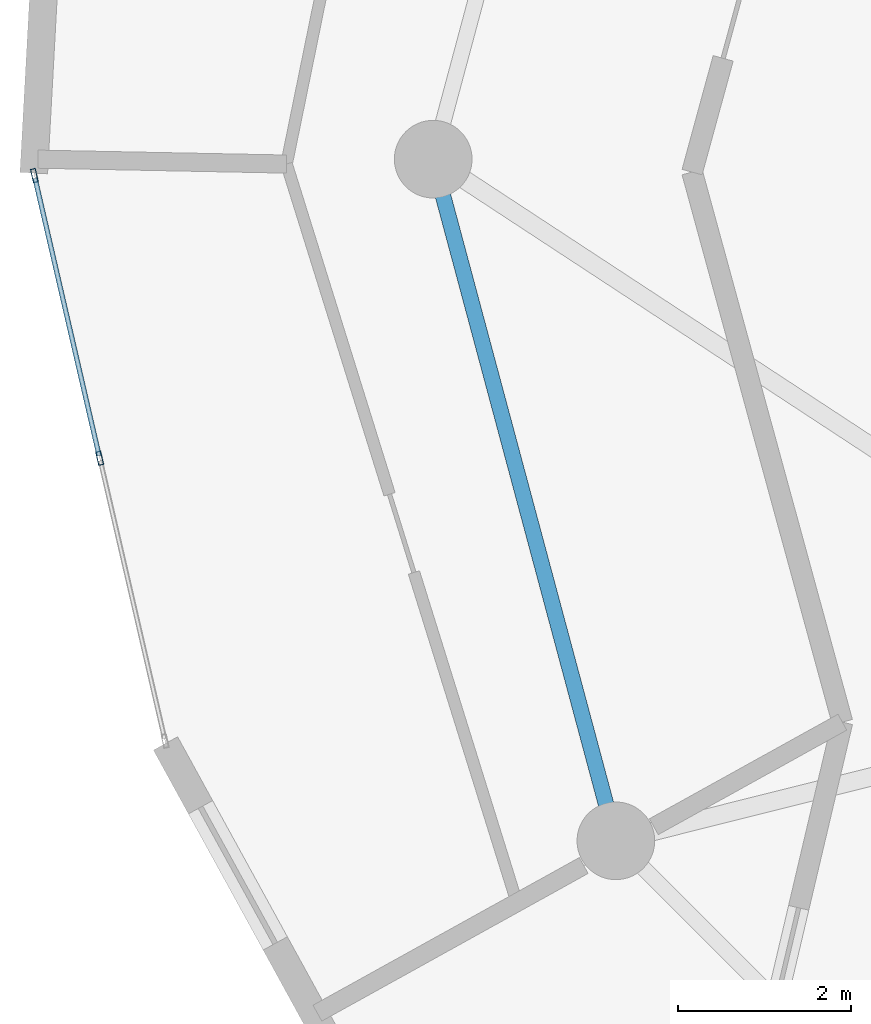
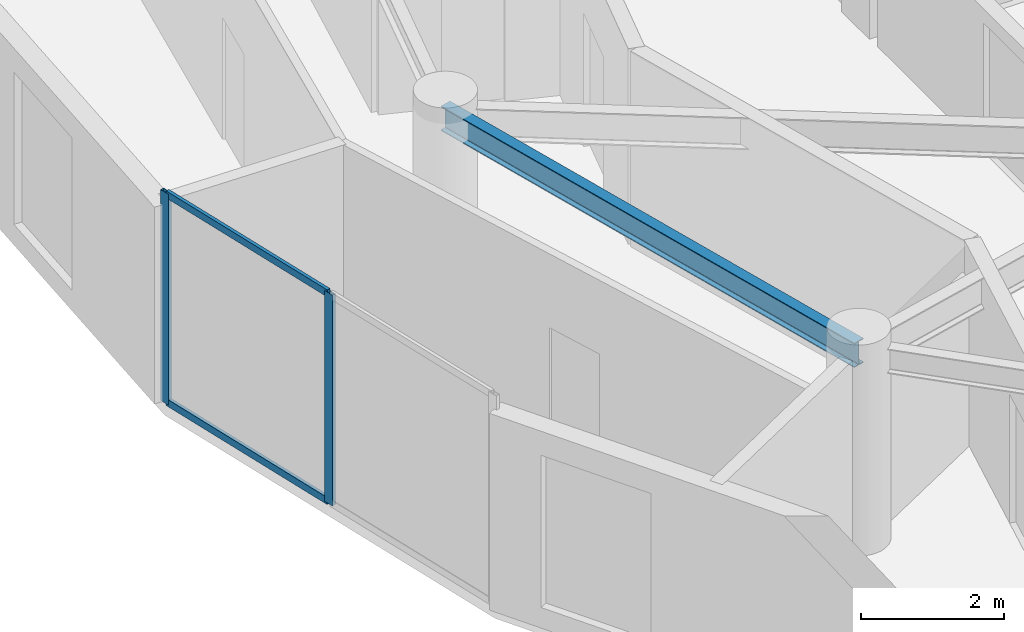
# One storey, part 7 of 21: 4 members, 1 beam, 1 element without a shape of its own.
"""IFC4 building model written with IfcOpenShell, lengths in metres."""

import ifcopenshell
import ifcopenshell.guid

model = None  # the IFC model being written
_history = None  # IfcOwnerHistory: only IFC2X3 demands one
_inside = {}  # id of a spatial element -> (the spatial element, [elements in it])
_under = {}  # id of a project, library or spatial element -> (it, [spatial elements below it])
_declared = {}  # id of a project -> (the project, [libraries it declares])
_typed = {}  # id of a type object -> (the type object, [elements of that type])
_made_of = {}  # id of a material, layer set ... -> (it, [elements and type objects made of it])


def new_model(schema):
    """Start an empty IFC model of exactly this schema.

    Asked for "IFC4X3", IfcOpenShell would pick the latest addendum, in which some entities
    have other attributes; the version numbers below select the first issue.
    IFC2X3 requires an IfcOwnerHistory on every rooted entity: one is made here for all.
    """
    global model, _history
    if schema == "IFC4X3":
        model = ifcopenshell.file(schema_version=(4, 3, 0, 0))
    else:
        model = ifcopenshell.file(schema=schema)
    _inside.clear()
    _under.clear()
    _declared.clear()
    _typed.clear()
    _made_of.clear()
    _history = None
    if model.schema == "IFC2X3":
        org = make("IfcOrganization", Name="unknown")
        user = make(
            "IfcPersonAndOrganization",
            ThePerson=make("IfcPerson", FamilyName="unknown"),
            TheOrganization=org,
        )
        app = make(
            "IfcApplication",
            ApplicationDeveloper=org,
            Version="unknown",
            ApplicationFullName="unknown",
            ApplicationIdentifier="unknown",
        )
        _history = make(
            "IfcOwnerHistory",
            OwningUser=user,
            OwningApplication=app,
            ChangeAction="ADDED",
            CreationDate=0,
        )
    return model


def make(cls, **values):
    """One entity of the class cls with the attributes given. An attribute that is None is left unset."""
    return model.create_entity(
        cls, **{name: value for name, value in values.items() if value is not None}
    )


def rooted(cls, **values):
    """An entity with a GlobalId (a new one), such as an element, a storey or a relation."""
    return make(cls, GlobalId=ifcopenshell.guid.new(), OwnerHistory=_history, **values)


def si_unit(unit_type, name, prefix=None):
    """IfcSIUnit, for example si_unit("LENGTHUNIT", "METRE", prefix="MILLI")."""
    return make("IfcSIUnit", UnitType=unit_type, Prefix=prefix, Name=name)


def assignment(units):
    """IfcUnitAssignment: the units of a project."""
    return None if units is None else make("IfcUnitAssignment", Units=units)


def point(xyz):
    """IfcCartesianPoint."""
    return None if xyz is None else make("IfcCartesianPoint", Coordinates=xyz)


def direction(xyz):
    """IfcDirection."""
    return None if xyz is None else make("IfcDirection", DirectionRatios=xyz)


def frame(location, z_axis=None, x_axis=None):
    """IfcAxis2Placement3D, a coordinate frame: its origin and axes. An axis left out is left unset."""
    return make(
        "IfcAxis2Placement3D",
        Location=point(location),
        Axis=direction(z_axis),
        RefDirection=direction(x_axis),
    )


def frame_2d(location, x_axis=None):
    """IfcAxis2Placement2D, a coordinate frame in the plane: its origin and x axis."""
    return make(
        "IfcAxis2Placement2D", Location=point(location), RefDirection=direction(x_axis)
    )


def origin():
    """The frame at (0, 0, 0) with its axes left unset."""
    return frame((0.0, 0.0, 0.0))


def origin_2d():
    """The frame at (0, 0) in the plane with its x axis left unset."""
    return frame_2d((0.0, 0.0))


def place(relative_to, where):
    """IfcLocalPlacement: puts the frame where relative to a parent placement (None: the world)."""
    return make(
        "IfcLocalPlacement", PlacementRelTo=relative_to, RelativePlacement=where
    )


def context(
    kind, dimensions, precision=None, world=None, true_north=None, identifier=None
):
    """IfcGeometricRepresentationContext, for example the 3D "Model" context."""
    return make(
        "IfcGeometricRepresentationContext",
        ContextIdentifier=identifier,
        ContextType=kind,
        CoordinateSpaceDimension=dimensions,
        Precision=precision,
        WorldCoordinateSystem=world,
        TrueNorth=true_north,
    )


def subcontext(parent, identifier, kind, view, scale=None):
    """IfcGeometricRepresentationSubContext, for example "Body" below "Model"."""
    return make(
        "IfcGeometricRepresentationSubContext",
        ContextIdentifier=identifier,
        ContextType=kind,
        ParentContext=parent,
        TargetScale=scale,
        TargetView=view,
    )


def project(units=None, contexts=None):
    """IfcProject with its units and contexts."""
    return rooted(
        "IfcProject",
        Name="project",
        RepresentationContexts=contexts,
        UnitsInContext=assignment(units),
    )


def spatial(cls, under=None, at=None, **own):
    """A site, building, storey or space (cls), placed at a placement, below another one or the project."""
    s = rooted(cls, ObjectPlacement=at, **own)
    if under is not None:
        _under.setdefault(under.id(), (under, []))[1].append(s)
    return s


def profile(cls, at=None, kind="AREA", **sizes):
    """A parametric profile (cls). Its sizes go by their IFC names, for example OverallWidth=200.0."""
    return make(cls, ProfileType=kind, Position=at, **sizes)


def hollow_rectangle(**sizes):
    """IfcRectangleHollowProfileDef."""
    return profile("IfcRectangleHollowProfileDef", **sizes)


def i_section(**sizes):
    """IfcIShapeProfileDef."""
    return profile("IfcIShapeProfileDef", **sizes)


def extrude(swept, where, along, depth):
    """IfcExtrudedAreaSolid: the profile swept, set in the frame where, extruded along a direction by depth."""
    return make(
        "IfcExtrudedAreaSolid",
        SweptArea=swept,
        Position=where,
        ExtrudedDirection=direction(along),
        Depth=depth,
    )


def shape(context_of_items, identifier, shape_type, items):
    """IfcShapeRepresentation: the items that make up one representation, for example the "Body"."""
    return make(
        "IfcShapeRepresentation",
        ContextOfItems=context_of_items,
        RepresentationIdentifier=identifier,
        RepresentationType=shape_type,
        Items=items,
    )


def source(mapping_origin, context_of_items, identifier, shape_type, items):
    """IfcRepresentationMap: a shape defined once, which mapped items show again and again."""
    return make(
        "IfcRepresentationMap",
        MappingOrigin=mapping_origin,
        MappedRepresentation=shape(context_of_items, identifier, shape_type, items),
    )


def transform(
    local_origin,
    x_axis=None,
    y_axis=None,
    z_axis=None,
    scale=None,
    scale2=None,
    scale3=None,
    uniform=True,
):
    """IfcCartesianTransformationOperator3D, or its non-uniform kind. x_axis, y_axis, z_axis: its Axis1, 2, 3."""
    if uniform:
        return make(
            "IfcCartesianTransformationOperator3D",
            Axis1=direction(x_axis),
            Axis2=direction(y_axis),
            LocalOrigin=point(local_origin),
            Scale=scale,
            Axis3=direction(z_axis),
        )
    return make(
        "IfcCartesianTransformationOperator3DnonUniform",
        Axis1=direction(x_axis),
        Axis2=direction(y_axis),
        LocalOrigin=point(local_origin),
        Scale=scale,
        Axis3=direction(z_axis),
        Scale2=scale2,
        Scale3=scale3,
    )


def mapped(mapping_source, mapping_target):
    """IfcMappedItem: shows the shape of a source again, moved by a transform."""
    return make(
        "IfcMappedItem", MappingSource=mapping_source, MappingTarget=mapping_target
    )


def material(Name=None, Category=None):
    """IfcMaterial."""
    return make("IfcMaterial", Name=Name, Category=Category)


def layer(
    of_material, thickness, ventilated=None, Name=None, Category=None, Priority=None
):
    """IfcMaterialLayer: one layer of a wall or slab, of a material (None: an air gap)."""
    return make(
        "IfcMaterialLayer",
        Material=of_material,
        LayerThickness=thickness,
        IsVentilated=ventilated,
        Name=Name,
        Category=Category,
        Priority=Priority,
    )


def layer_set(layers, Name=None):
    """IfcMaterialLayerSet."""
    return make("IfcMaterialLayerSet", MaterialLayers=layers, LayerSetName=Name)


def material_profile(
    of_material, cross_section, Name=None, Category=None, Priority=None
):
    """IfcMaterialProfile: a cross section and its material."""
    return make(
        "IfcMaterialProfile",
        Name=Name,
        Material=of_material,
        Profile=cross_section,
        Priority=Priority,
        Category=Category,
    )


def profile_set(profiles, Name=None, composite=None):
    """IfcMaterialProfileSet."""
    return make(
        "IfcMaterialProfileSet",
        Name=Name,
        MaterialProfiles=profiles,
        CompositeProfile=composite,
    )


def made_of(thing, what):
    """Note that an element or type object is made of a material, layer set ...; save() writes the relation."""
    if what is not None:
        _made_of.setdefault(what.id(), (what, []))[1].append(thing)
    return thing


def type_object(cls, material=None, **own):
    """A type object (cls), such as IfcWallType, which elements share."""
    return made_of(rooted(cls, **own), material)


def element(
    cls,
    number,
    at=None,
    inside=None,
    cuts=None,
    type_object=None,
    material=None,
    context=None,
    identifier="Body",
    shape_type=None,
    held_by="IfcProductDefinitionShape",
    body=None,
    shapes=None,
    **own,
):
    """One element of the class cls, such as IfcWall. Its Tag is "e" and its number.

    at: its placement. inside: the storey or other place that contains it. cuts: it is an
    opening in that element (IfcRelVoidsElement). A single representation is given by context,
    identifier, shape_type and body (its items); several are given by shapes. held_by: the class
    of the entity that holds the representations. save() writes the other relations.
    """
    e = rooted(cls, Tag="e%d" % number, ObjectPlacement=at, **own)
    if body is not None:
        shapes = [shape(context, identifier, shape_type, body)]
    if shapes is not None:
        e.Representation = make(held_by, Representations=shapes)
    if inside is not None:
        _inside.setdefault(inside.id(), (inside, []))[1].append(e)
    if cuts is not None:
        rooted(
            "IfcRelVoidsElement", RelatingBuildingElement=cuts, RelatedOpeningElement=e
        )
    if type_object is not None:
        _typed.setdefault(type_object.id(), (type_object, []))[1].append(e)
    return made_of(e, material)


def aggregate(whole, parts):
    """IfcRelAggregates: a whole, such as a stair, and the parts it consists of."""
    return rooted("IfcRelAggregates", RelatingObject=whole, RelatedObjects=parts)


def save(model, path):
    """Write the relations noted so far, then the file.

    IfcRelAggregates (storeys below a building ...), IfcRelContainedInSpatialStructure (elements
    in a storey), IfcRelDefinesByType, IfcRelAssociatesMaterial and IfcRelDeclares: one each for
    every whole, place, type object, material and project.
    """
    for whole, parts in _under.values():
        aggregate(whole, parts)
    for where, things in _inside.values():
        rooted(
            "IfcRelContainedInSpatialStructure",
            RelatedElements=things,
            RelatingStructure=where,
        )
    for kind, things in _typed.values():
        rooted("IfcRelDefinesByType", RelatedObjects=things, RelatingType=kind)
    for what, things in _made_of.values():
        rooted("IfcRelAssociatesMaterial", RelatedObjects=things, RelatingMaterial=what)
    for by, libraries in _declared.values():
        rooted("IfcRelDeclares", RelatingContext=by, RelatedDefinitions=libraries)
    model.write(path)


model = new_model("IFC4")

# Units and contexts
model_context = context("Model", 3, precision=1e-05, world=origin(), true_north=direction((0.0, 1.0)))
body_context = subcontext(model_context, "Body", "Model", "MODEL_VIEW")
ifc_project = project(units=[si_unit("LENGTHUNIT", "METRE"), si_unit("AREAUNIT", "SQUARE_METRE"), si_unit("VOLUMEUNIT", "CUBIC_METRE"), si_unit("PLANEANGLEUNIT", "RADIAN"), si_unit("MASSUNIT", "GRAM", prefix="KILO")], contexts=[model_context])

# Site, building, storey
site_placement = place(None, origin())
site = spatial("IfcSite", under=ifc_project, at=site_placement, CompositionType="ELEMENT")
building_placement = place(site_placement, origin())
building = spatial("IfcBuilding", under=site, at=building_placement, Name="Solvirekh Grand Hotel", CompositionType="ELEMENT")
storey_placement = place(building_placement, frame((0.0, 0.0, 216.39990234375)))
storey = spatial("IfcBuildingStorey", under=building, at=storey_placement, Name="L56", CompositionType="ELEMENT", Elevation=216.39990234375)

# Beam
ifc_material_1 = material(Name="Steel S355", Category="steel")
ifc_material_profile_1 = material_profile(ifc_material_1, i_section(OverallWidth=0.180908203125, OverallDepth=0.4169921875, WebThickness=0.010009765625, FlangeThickness=0.01611328125, FilletRadius=0.011962890625, at=origin_2d()), Name="W410X85")
ifc_profile_set_1 = profile_set([ifc_material_profile_1], Name="Steel S355")
beam_type = type_object("IfcBeamType", Name="Spandrel_Ring_W410", PredefinedType="SPANDREL", material=ifc_profile_set_1)
beam_placement = place(storey_placement, frame((-15.800048828125, 0.0, 3.152099609375), z_axis=(0.258838541915, -0.965920601923, 0.0), x_axis=(0.965920601923, 0.258838541915, 0.0)))
element("IfcBeam", 1, at=beam_placement, inside=storey, type_object=beam_type, Name="L56 perimeter spandrel beam 7", PredefinedType="SPANDREL", context=body_context, shape_type="SweptSolid", body=[
    extrude(i_section(OverallWidth=0.180908203125, OverallDepth=0.4169921875, WebThickness=0.010009765625, FlangeThickness=0.01611328125, FilletRadius=0.011962890625, at=origin_2d()), origin(), (0.0, 0.0, 1.0), 8.1787109375),
])

# Curtain wall, members
ifc_material_2 = material(Name="Anodized Bronze Aluminium 6063-T6", Category="aluminium")
ifc_layer = layer(ifc_material_2, 0.159912109375)
ifc_layer_set = layer_set([ifc_layer], Name="Anodized Bronze Aluminium 6063-T6")
curtain_wall_type = type_object("IfcCurtainWallType", Name="CW_Sys4_HighZoneFlushBronzeCW", PredefinedType="NOTDEFINED", material=ifc_layer_set)
curtain_wall_placement = place(storey_placement, origin())
curtain_wall = element("IfcCurtainWall", 2, at=curtain_wall_placement, inside=storey, type_object=curtain_wall_type, Name="L56 unitised bronze-glass curtain wall CW-L56-C15", PredefinedType="NOTDEFINED")
ifc_material_profile_2 = material_profile(ifc_material_2, hollow_rectangle(XDim=0.06005859375, YDim=0.159912109375, WallThickness=0.0048828125, at=origin_2d()), Name="ALU RHS 160X60X5")
ifc_profile_set_2 = profile_set([ifc_material_profile_2], Name="Anodized Bronze Aluminium 6063-T6")
member_type_1 = type_object("IfcMemberType", Name="CWMullion_Sys4", PredefinedType="MULLION", material=ifc_profile_set_2)
shared_shape_1 = source(origin(), body_context, "Body", "SweptSolid", [
    extrude(hollow_rectangle(XDim=0.06005859375, YDim=0.159912109375, WallThickness=0.0048828125, at=origin_2d()), origin(), (0.0, 0.0, 1.0), 3.60009765625),
])
member_1_placement = place(storey_placement, frame((-20.42236328125, -0.190185546875, 0.0), z_axis=(0.0, 0.0, 1.0), x_axis=(0.974346464853, 0.22505325243, 0.0)))
member_1 = element("IfcMember", 3, at=member_1_placement, type_object=member_type_1, Name="U04 mullion 1", PredefinedType="MULLION", context=body_context, shape_type="MappedRepresentation", body=[
    mapped(shared_shape_1, transform((0.0, 0.0, 0.0), x_axis=(1.0, 0.0, 0.0), y_axis=(0.0, 1.0, 0.0), z_axis=(0.0, 0.0, 1.0), scale=1.0)),
])
member_2_placement = place(storey_placement, frame((-19.66552734375, -3.466552734375, 0.0), z_axis=(0.0, 0.0, 1.0), x_axis=(0.974346464853, 0.22505325243, 0.0)))
member_2 = element("IfcMember", 4, at=member_2_placement, type_object=member_type_1, Name="U04 mullion 2", PredefinedType="MULLION", context=body_context, shape_type="MappedRepresentation", body=[
    mapped(shared_shape_1, transform((0.0, 0.0, 0.0), x_axis=(1.0, 0.0, 0.0), y_axis=(0.0, 1.0, 0.0), z_axis=(0.0, 0.0, 1.0), scale=1.0)),
])
ifc_material_profile_3 = material_profile(ifc_material_2, hollow_rectangle(XDim=0.054931640625, YDim=0.1201171875, WallThickness=0.00390625, at=origin_2d()), Name="ALU RHS 120X55X4")
ifc_profile_set_3 = profile_set([ifc_material_profile_3], Name="Anodized Bronze Aluminium 6063-T6")
member_type_2 = type_object("IfcMemberType", Name="CWTransom_Sys4", PredefinedType="USERDEFINED", material=ifc_profile_set_3)
shared_shape_2 = source(origin(), body_context, "Body", "SweptSolid", [
    extrude(hollow_rectangle(XDim=0.054931640625, YDim=0.1201171875, WallThickness=0.00390625, at=origin_2d()), origin(), (0.0, 0.0, 1.0), 3.302490234375),
])
member_3_placement = place(storey_placement, frame((-20.41552734375, -0.219482421875, 0.027587890625), z_axis=(0.225032275216, -0.974351309904, 0.0), x_axis=(0.974351309904, 0.225032275216, 0.0)))
member_3 = element("IfcMember", 5, at=member_3_placement, type_object=member_type_2, Name="U04 transom 1.1", ObjectType="TRANSOM", PredefinedType="USERDEFINED", context=body_context, shape_type="MappedRepresentation", body=[
    mapped(shared_shape_2, transform((0.0, 0.0, 0.0), x_axis=(1.0, 0.0, 0.0), y_axis=(0.0, 1.0, 0.0), z_axis=(0.0, 0.0, 1.0), scale=1.0)),
])
member_4_placement = place(storey_placement, frame((-20.41552734375, -0.219482421875, 3.572509765625), z_axis=(0.225032275216, -0.974351309904, 0.0), x_axis=(0.974351309904, 0.225032275216, 0.0)))
member_4 = element("IfcMember", 6, at=member_4_placement, type_object=member_type_2, Name="U04 transom 1.2", ObjectType="TRANSOM", PredefinedType="USERDEFINED", context=body_context, shape_type="MappedRepresentation", body=[
    mapped(shared_shape_2, transform((0.0, 0.0, 0.0), x_axis=(1.0, 0.0, 0.0), y_axis=(0.0, 1.0, 0.0), z_axis=(0.0, 0.0, 1.0), scale=1.0)),
])
aggregate(curtain_wall, [member_1, member_2, member_3, member_4])

save(model, "model.ifc")
